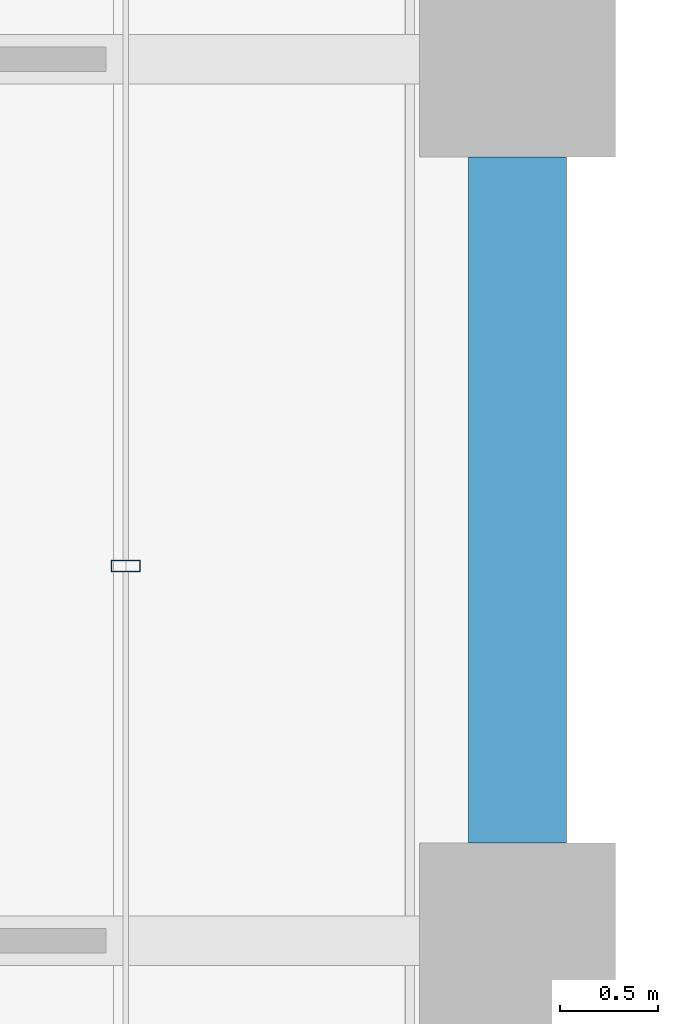
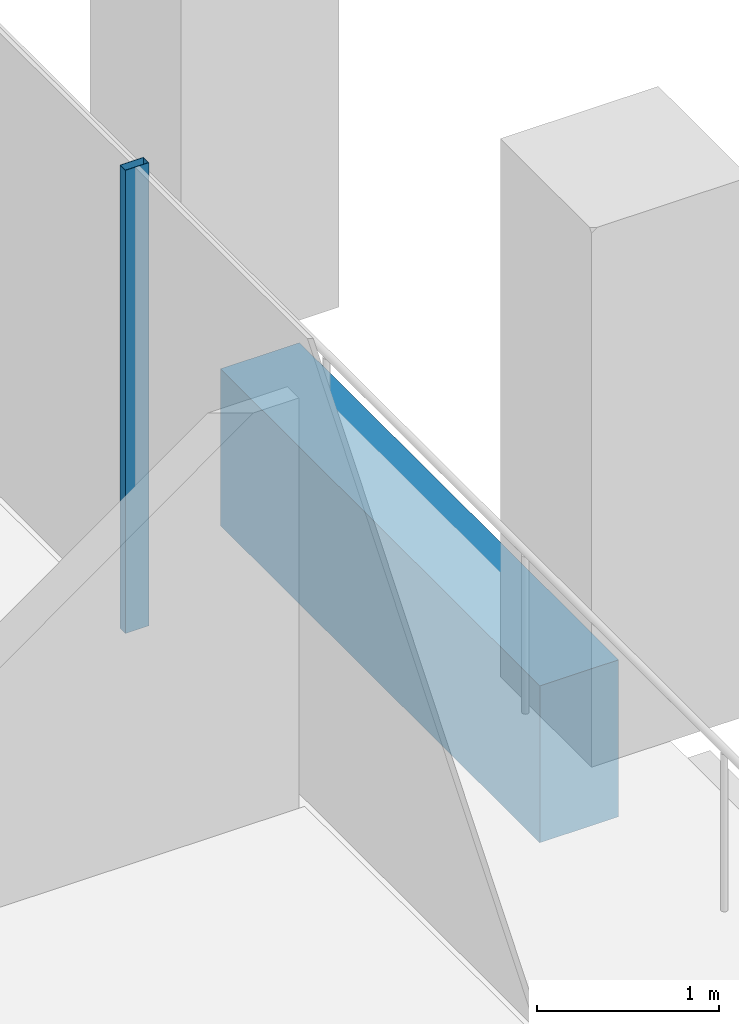
# One storey, part 17 of 46: 1 beam, 1 member, 1 element without a shape of its own.
"""IFC4 building model written with IfcOpenShell, lengths in metres."""

from ifc_helpers import new_model, si_unit, direction, frame, origin, origin_2d, place, context, subcontext, project, spatial, rectangle, hollow_rectangle, extrude, material, material_profile, profile_set, type_object, element, aggregate, save


model = new_model("IFC4")

# Units and contexts
model_context = context("Model", 3, precision=1e-05, world=origin(), true_north=direction((0.0, 1.0)))
body_context = subcontext(model_context, "Body", "Model", "MODEL_VIEW")
ifc_project = project(units=[si_unit("LENGTHUNIT", "METRE"), si_unit("AREAUNIT", "SQUARE_METRE"), si_unit("VOLUMEUNIT", "CUBIC_METRE"), si_unit("PLANEANGLEUNIT", "RADIAN"), si_unit("MASSUNIT", "GRAM", prefix="KILO")], contexts=[model_context])

# Site, building, storey
site_placement = place(None, origin())
site = spatial("IfcSite", under=ifc_project, at=site_placement, CompositionType="ELEMENT")
building_placement = place(site_placement, origin())
building = spatial("IfcBuilding", under=site, at=building_placement, Name="Altepetl Exchange Towers", CompositionType="ELEMENT")
storey_placement = place(building_placement, frame((0.0, 0.0, 131.60009765625)))
storey = spatial("IfcBuildingStorey", under=building, at=storey_placement, Name="L32", CompositionType="ELEMENT", Elevation=131.60009765625)

# Curtain wall, member
ifc_material_1 = material(Name="Aluminium 6063-T6 glazing", Category="aluminium")
curtain_wall_type = type_object("IfcCurtainWallType", Name="Loggia glazing system", PredefinedType="NOTDEFINED", material=ifc_material_1)
curtain_wall_placement = place(storey_placement, origin())
curtain_wall = element("IfcCurtainWall", 1, at=curtain_wall_placement, inside=storey, type_object=curtain_wall_type, Name="CW1 run", PredefinedType="NOTDEFINED")
ifc_material_2 = material(Name="Aluminium 6063-T6", Category="aluminium")
ifc_material_profile_1 = material_profile(ifc_material_2, hollow_rectangle(XDim=0.06005859375, YDim=0.14990234375, WallThickness=0.0029296875, at=origin_2d()), Name="Mullion 60x150 aluminium")
ifc_profile_set_1 = profile_set([ifc_material_profile_1], Name="Aluminium 6063-T6")
member_type = type_object("IfcMemberType", Name="Mullion 60x150 aluminium", PredefinedType="MULLION", material=ifc_profile_set_1)
member_placement = place(storey_placement, frame((70.0, 46.9130859375, 0.0), z_axis=(0.0, 0.0, 1.0), x_axis=(0.0, 1.0, 0.0)))
member = element("IfcMember", 2, at=member_placement, type_object=member_type, Name="MU1 mullion", PredefinedType="MULLION", context=body_context, shape_type="SweptSolid", body=[
    extrude(hollow_rectangle(XDim=0.06005859375, YDim=0.14990234375, WallThickness=0.0029296875, at=origin_2d()), origin(), (0.0, 0.0, 1.0), 3.099853515625),
])
aggregate(curtain_wall, [member])

# Beam
ifc_material_3 = material(Name="Concrete C50/60 precast with cantera amarilla facing", Category="concrete")
ifc_material_profile_2 = material_profile(ifc_material_3, rectangle(XDim=0.5, YDim=1.050048828125, at=origin_2d()), Name="500 x 1050")
ifc_profile_set_2 = profile_set([ifc_material_profile_2], Name="Concrete C50/60 precast with cantera amarilla facing")
beam_type = type_object("IfcBeamType", Name="Spandrel beam 500x1050 cantera amarilla", PredefinedType="SPANDREL", material=ifc_profile_set_2)
beam_placement = place(storey_placement, frame((72.0, 45.5, -0.675048828125), z_axis=(0.0, 1.0, 0.0), x_axis=(-1.0, 0.0, 0.0)))
element("IfcBeam", 3, at=beam_placement, inside=storey, type_object=beam_type, Name="sp:A:L32:015", PredefinedType="SPANDREL", context=body_context, shape_type="SweptSolid", body=[
    extrude(rectangle(XDim=0.5, YDim=1.050048828125, at=origin_2d()), origin(), (0.0, 0.0, 1.0), 3.5),
])

save(model, "model.ifc")
